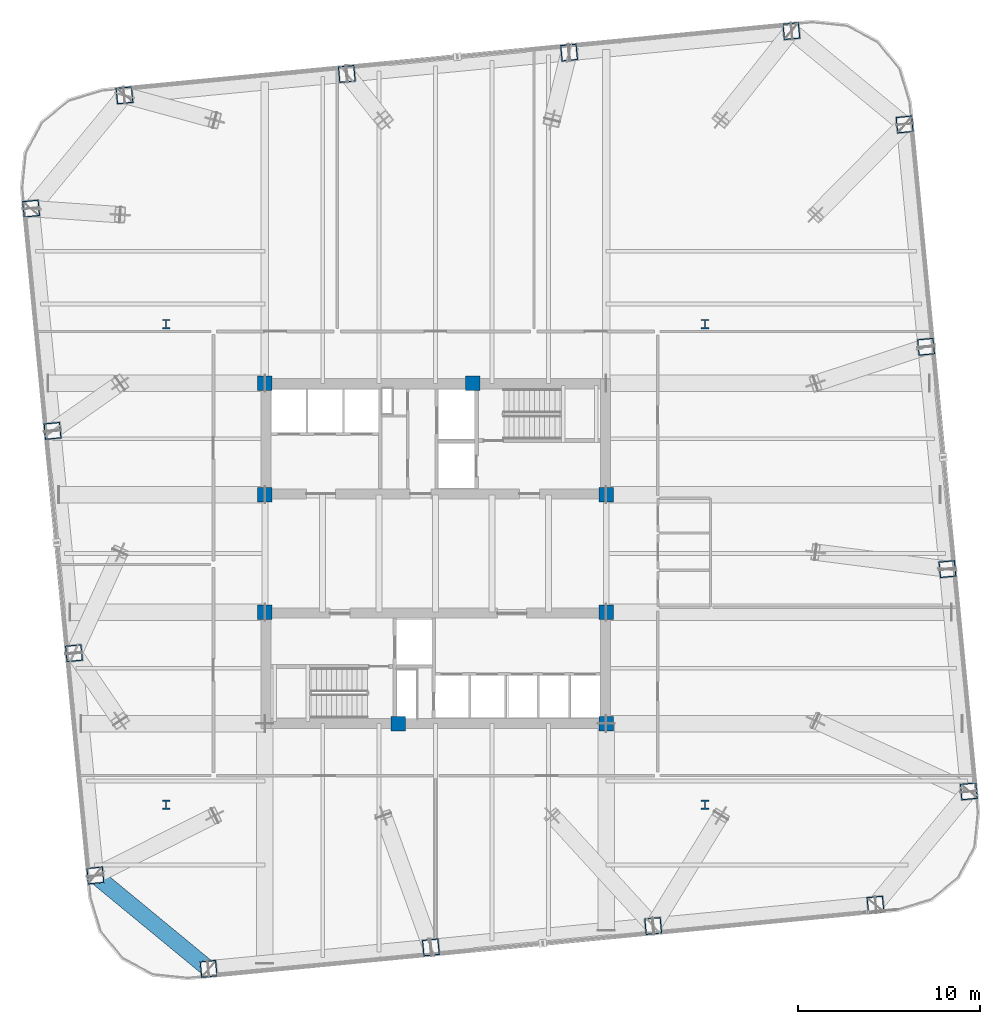
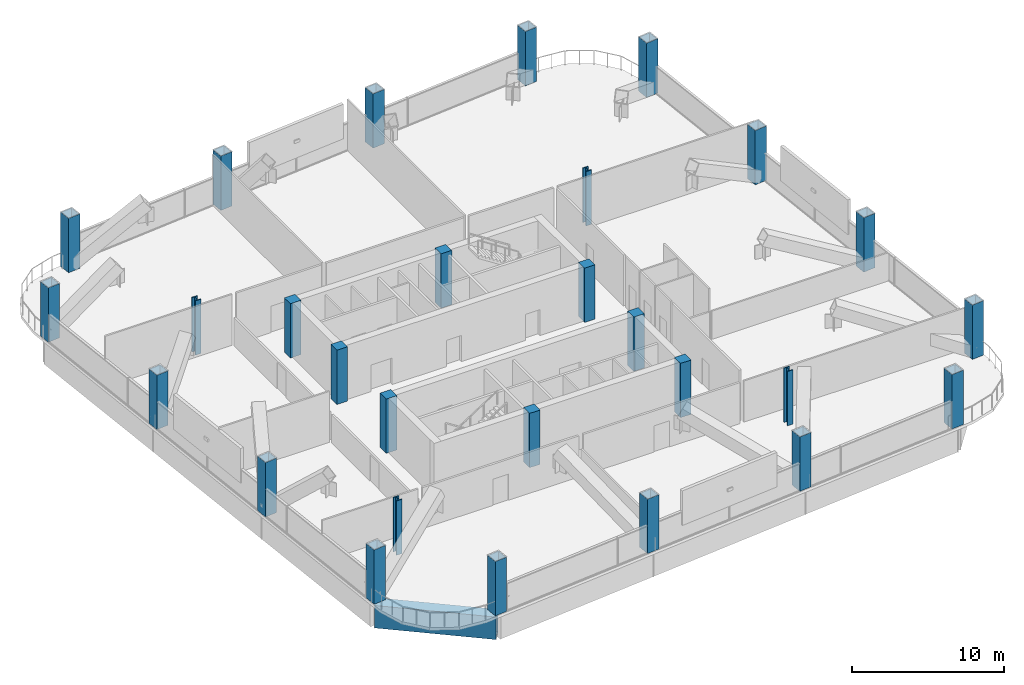
# One storey, part 1 of 30: 28 columns, 1 beam.
"""IFC4 building model written with IfcOpenShell, lengths in metres."""

from ifc_helpers import new_model, si_unit, direction, frame, origin, origin_2d, place, context, subcontext, project, spatial, rectangle, hollow_rectangle, i_section, extrude, material, material_profile, profile_set, type_object, element, save


model = new_model("IFC4")

# Units and contexts
model_context = context("Model", 3, precision=1e-05, world=origin(), true_north=direction((0.0, 1.0)))
body_context = subcontext(model_context, "Body", "Model", "MODEL_VIEW")
ifc_project = project(units=[si_unit("LENGTHUNIT", "METRE"), si_unit("AREAUNIT", "SQUARE_METRE"), si_unit("VOLUMEUNIT", "CUBIC_METRE"), si_unit("PLANEANGLEUNIT", "RADIAN"), si_unit("MASSUNIT", "GRAM", prefix="KILO")], contexts=[model_context])

# Site, building, storey
site_placement = place(None, origin())
site = spatial("IfcSite", under=ifc_project, at=site_placement, CompositionType="ELEMENT")
building_placement = place(site_placement, origin())
building = spatial("IfcBuilding", under=site, at=building_placement, Name="Qhalaya Broadcast Tower", CompositionType="ELEMENT")
storey_placement = place(building_placement, frame((0.0, 0.0, 96.89990234375)))
storey = spatial("IfcBuildingStorey", under=building, at=storey_placement, Name="L28", CompositionType="ELEMENT", Elevation=96.89990234375)

# Columns
ifc_material_1 = material(Name="Concrete C50/60", Category="concrete")
ifc_material_profile_1 = material_profile(ifc_material_1, rectangle(XDim=0.800048828125, YDim=0.800048828125, at=origin_2d()), Name="RC-COL 800x800")
ifc_profile_set_1 = profile_set([ifc_material_profile_1], Name="Concrete C50/60")
column_type_1 = type_object("IfcColumnType", Name="RC Upper Column C10", PredefinedType="COLUMN", material=ifc_profile_set_1)
for number, where, z_axis, x_axis, name in (
    (1, (-9.375, 9.949951171875, 0.0), (0.0, 0.0, 1.0), (1.0, 0.0, 0.0), "L28 Column COL-CC1"),
    (2, (2.050048828125, 9.949951171875, 0.0), (0.0, 0.0, 1.0), (1.0, 0.0, 0.0), "L28 Column COL-CC2"),
    (3, (-9.375, 3.824951171875, 0.0), (0.0, 0.0, 1.0), (1.0, 0.0, 0.0), "L28 Column COL-CC3"),
    (4, (9.375, 3.824951171875, 0.0), (0.0, 0.0, 1.0), (1.0, 0.0, 0.0), "L28 Column COL-CC4"),
    (5, (-9.375, -2.625, 0.0), (0.0, 0.0, 1.0), (1.0, 0.0, 0.0), "L28 Column COL-CC5"),
    (6, (9.375, -2.625, 0.0), (0.0, 0.0, 1.0), (1.0, 0.0, 0.0), "L28 Column COL-CC6"),
    (7, (-2.050048828125, -8.75, 0.0), (0.0, 0.0, 1.0), (1.0, 0.0, 0.0), "L28 Column COL-CC7"),
    (8, (9.375, -8.75, 0.0), (0.0, 0.0, 1.0), (1.0, 0.0, 0.0), "L28 Column COL-CC8"),
):
    element("IfcColumn", number, at=place(storey_placement, frame(where, z_axis=z_axis, x_axis=x_axis)), inside=storey, type_object=column_type_1, Name=name, PredefinedType="COLUMN", context=body_context, shape_type="SweptSolid", body=[
        extrude(rectangle(XDim=0.800048828125, YDim=0.800048828125, at=origin_2d()), origin(), (0.0, 0.0, 1.0), 4.35009765625),
    ])
ifc_material_2 = material(Name="Structural Steel ASTM A992 Grade 50", Category="steel")
ifc_material_profile_2 = material_profile(ifc_material_2, i_section(OverallWidth=0.41796875, OverallDepth=0.510009765625, WebThickness=0.0419921875, FlangeThickness=0.067626953125, at=origin_2d()), Name="W14X370")
ifc_profile_set_2 = profile_set([ifc_material_profile_2], Name="Structural Steel ASTM A992 Grade 50")
column_type_2 = type_object("IfcColumnType", Name="Rolled Gravity Column C06", PredefinedType="COLUMN", material=ifc_profile_set_2)
for number, where, z_axis, x_axis, name in (
    (9, (-14.800048828125, -13.199951171875, 0.0), (0.0, 0.0, 1.0), (1.0, 0.0, 0.0), "L28 Column COL-GR1"),
    (10, (14.800048828125, -13.199951171875, 0.0), (0.0, 0.0, 1.0), (1.0, 0.0, 0.0), "L28 Column COL-GR2"),
    (11, (-14.800048828125, 13.199951171875, 0.0), (0.0, 0.0, 1.0), (1.0, 0.0, 0.0), "L28 Column COL-GR3"),
    (12, (14.800048828125, 13.199951171875, 0.0), (0.0, 0.0, 1.0), (1.0, 0.0, 0.0), "L28 Column COL-GR4"),
):
    element("IfcColumn", number, at=place(storey_placement, frame(where, z_axis=z_axis, x_axis=x_axis)), inside=storey, type_object=column_type_2, Name=name, PredefinedType="COLUMN", context=body_context, shape_type="SweptSolid", body=[
        extrude(i_section(OverallWidth=0.41796875, OverallDepth=0.510009765625, WebThickness=0.0419921875, FlangeThickness=0.067626953125, at=origin_2d()), origin(), (0.0, 0.0, 1.0), 4.35009765625),
    ])
ifc_material_3 = material(Name="Structural Steel ASTM A572 Grade 50", Category="steel")
ifc_material_profile_3 = material_profile(ifc_material_3, hollow_rectangle(XDim=0.89990234375, YDim=0.89990234375, WallThickness=0.054931640625, at=origin_2d()), Name="BOX 900x900x55")
ifc_profile_set_3 = profile_set([ifc_material_profile_3], Name="Structural Steel ASTM A572 Grade 50")
column_type_3 = type_object("IfcColumnType", Name="Steel Box Column C02", PredefinedType="COLUMN", material=ifc_profile_set_3)
for number, where, z_axis, x_axis, name in (
    (13, (-12.46533203125, -22.212646484375, 0.0), (0.0, 0.0, 1.0), (0.995396198367, 0.09584575252, 0.0), "L28 Column COL-EX01"),
    (14, (-0.255126953125, -21.036865234375, 0.0), (0.0, 0.0, 1.0), (0.995396198367, 0.09584575252, 0.0), "L28 Column COL-EX02"),
    (15, (11.955078125, -19.861083984375, 0.0), (0.0, 0.0, 1.0), (0.995396198367, 0.09584575252, 0.0), "L28 Column COL-EX03"),
    (16, (24.165283203125, -18.685546875, 0.0), (0.0, 0.0, 1.0), (0.995396198367, 0.09584575252, 0.0), "L28 Column COL-EX04"),
    (17, (29.29248046875, -12.46533203125, 0.0), (0.0, 0.0, 1.0), (-0.09584575252, 0.995396198367, 0.0), "L28 Column COL-EX05"),
    (18, (28.116943359375, -0.255126953125, 0.0), (0.0, 0.0, 1.0), (-0.09584575252, 0.995396198367, 0.0), "L28 Column COL-EX06"),
    (19, (26.941162109375, 11.955078125, 0.0), (0.0, 0.0, 1.0), (-0.09584575252, 0.995396198367, 0.0), "L28 Column COL-EX07"),
    (20, (25.765380859375, 24.165283203125, 0.0), (0.0, 0.0, 1.0), (-0.09584575252, 0.995396198367, 0.0), "L28 Column COL-EX08"),
    (21, (19.54541015625, 29.29248046875, 0.0), (0.0, 0.0, 1.0), (0.995396198367, 0.09584575252, 0.0), "L28 Column COL-EX09"),
    (22, (7.335205078125, 28.116943359375, 0.0), (0.0, 0.0, 1.0), (0.995396198367, 0.09584575252, 0.0), "L28 Column COL-EX10"),
    (23, (-4.875, 26.941162109375, 0.0), (0.0, 0.0, 1.0), (0.995396198367, 0.09584575252, 0.0), "L28 Column COL-EX11"),
    (24, (-17.085205078125, 25.765380859375, 0.0), (0.0, 0.0, 1.0), (0.995396198367, 0.09584575252, 0.0), "L28 Column COL-EX12"),
    (25, (-22.212646484375, 19.54541015625, 0.0), (0.0, 0.0, 1.0), (-0.09584575252, 0.995396198367, 0.0), "L28 Column COL-EX13"),
    (26, (-21.036865234375, 7.335205078125, 0.0), (0.0, 0.0, 1.0), (-0.09584575252, 0.995396198367, 0.0), "L28 Column COL-EX14"),
    (27, (-19.861083984375, -4.875, 0.0), (0.0, 0.0, 1.0), (-0.09584575252, 0.995396198367, 0.0), "L28 Column COL-EX15"),
    (28, (-18.685546875, -17.085205078125, 0.0), (0.0, 0.0, 1.0), (-0.09584575252, 0.995396198367, 0.0), "L28 Column COL-EX16"),
):
    element("IfcColumn", number, at=place(storey_placement, frame(where, z_axis=z_axis, x_axis=x_axis)), inside=storey, type_object=column_type_3, Name=name, PredefinedType="COLUMN", context=body_context, shape_type="SweptSolid", body=[
        extrude(hollow_rectangle(XDim=0.89990234375, YDim=0.89990234375, WallThickness=0.054931640625, at=origin_2d()), origin(), (0.0, 0.0, 1.0), 4.35009765625),
    ])

# Beam
ifc_material_profile_4 = material_profile(ifc_material_3, hollow_rectangle(XDim=0.89990234375, YDim=1.800048828125, WallThickness=0.06005859375, at=origin_2d()), Name="BOX 900x1800x60")
ifc_profile_set_4 = profile_set([ifc_material_profile_4], Name="Structural Steel ASTM A572 Grade 50")
beam_type = type_object("IfcBeamType", Name="Block Cantilever Transfer Box Girder TG1", PredefinedType="USERDEFINED", material=ifc_profile_set_4)
beam_placement = place(storey_placement, frame((-18.685546875, -17.085205078125, -1.119873046875), z_axis=(0.771631160126, -0.636070241972, 0.0), x_axis=(0.636070241972, 0.771631160126, 0.0)))
element("IfcBeam", 29, at=beam_placement, inside=storey, type_object=beam_type, Name="L28 TG1 L28-SPR-16", ObjectType="GIRDER", PredefinedType="USERDEFINED", context=body_context, shape_type="SweptSolid", body=[
    extrude(hollow_rectangle(XDim=0.89990234375, YDim=1.800048828125, WallThickness=0.06005859375, at=origin_2d()), origin(), (0.0, 0.0, 1.0), 8.06103515625),
])

save(model, "model.ifc")
